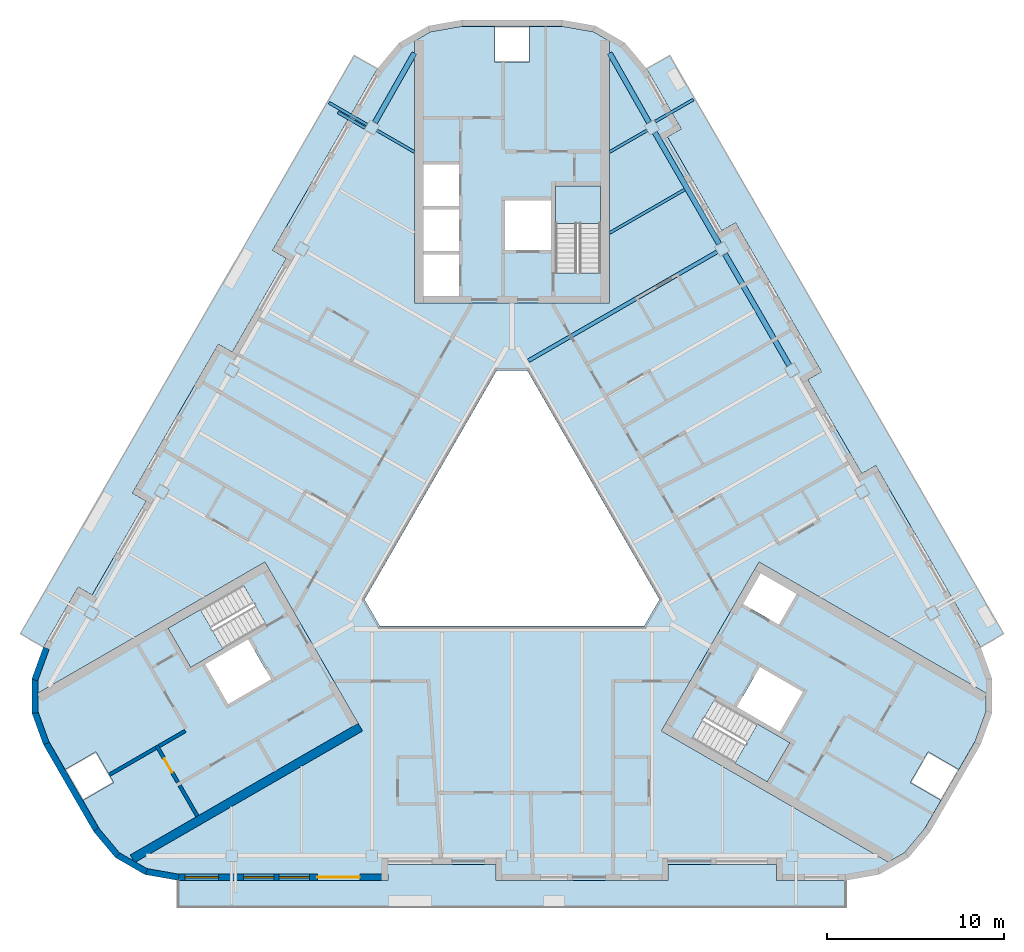
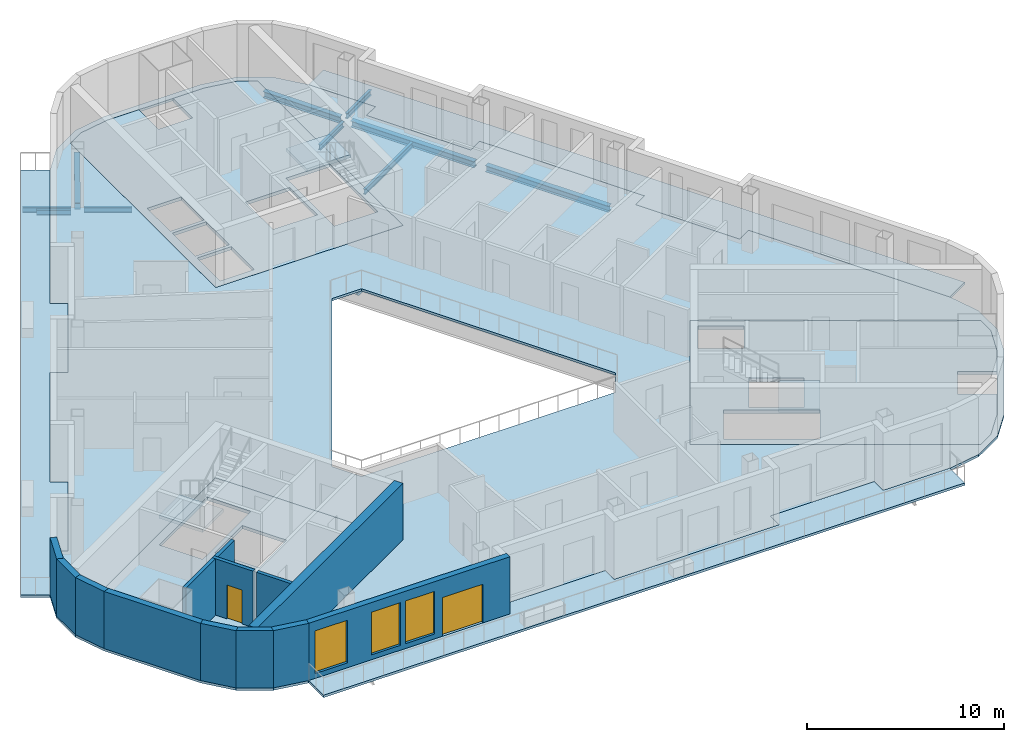
# One storey, part 2 of 14: 13 walls, 11 beams, 10 slabs, 3 windows, 2 doors, 5 openings, 3 elements without a shape of their own.
"""IFC4 building model written with IfcOpenShell, lengths in metres."""

import ifcopenshell
import ifcopenshell.guid

model = None  # the IFC model being written
_history = None  # IfcOwnerHistory: only IFC2X3 demands one
_inside = {}  # id of a spatial element -> (the spatial element, [elements in it])
_under = {}  # id of a project, library or spatial element -> (it, [spatial elements below it])
_declared = {}  # id of a project -> (the project, [libraries it declares])
_typed = {}  # id of a type object -> (the type object, [elements of that type])
_made_of = {}  # id of a material, layer set ... -> (it, [elements and type objects made of it])


def new_model(schema):
    """Start an empty IFC model of exactly this schema.

    Asked for "IFC4X3", IfcOpenShell would pick the latest addendum, in which some entities
    have other attributes; the version numbers below select the first issue.
    IFC2X3 requires an IfcOwnerHistory on every rooted entity: one is made here for all.
    """
    global model, _history
    if schema == "IFC4X3":
        model = ifcopenshell.file(schema_version=(4, 3, 0, 0))
    else:
        model = ifcopenshell.file(schema=schema)
    _inside.clear()
    _under.clear()
    _declared.clear()
    _typed.clear()
    _made_of.clear()
    _history = None
    if model.schema == "IFC2X3":
        org = make("IfcOrganization", Name="unknown")
        user = make(
            "IfcPersonAndOrganization",
            ThePerson=make("IfcPerson", FamilyName="unknown"),
            TheOrganization=org,
        )
        app = make(
            "IfcApplication",
            ApplicationDeveloper=org,
            Version="unknown",
            ApplicationFullName="unknown",
            ApplicationIdentifier="unknown",
        )
        _history = make(
            "IfcOwnerHistory",
            OwningUser=user,
            OwningApplication=app,
            ChangeAction="ADDED",
            CreationDate=0,
        )
    return model


def make(cls, **values):
    """One entity of the class cls with the attributes given. An attribute that is None is left unset."""
    return model.create_entity(
        cls, **{name: value for name, value in values.items() if value is not None}
    )


def rooted(cls, **values):
    """An entity with a GlobalId (a new one), such as an element, a storey or a relation."""
    return make(cls, GlobalId=ifcopenshell.guid.new(), OwnerHistory=_history, **values)


def si_unit(unit_type, name, prefix=None):
    """IfcSIUnit, for example si_unit("LENGTHUNIT", "METRE", prefix="MILLI")."""
    return make("IfcSIUnit", UnitType=unit_type, Prefix=prefix, Name=name)


def assignment(units):
    """IfcUnitAssignment: the units of a project."""
    return None if units is None else make("IfcUnitAssignment", Units=units)


def point(xyz):
    """IfcCartesianPoint."""
    return None if xyz is None else make("IfcCartesianPoint", Coordinates=xyz)


def direction(xyz):
    """IfcDirection."""
    return None if xyz is None else make("IfcDirection", DirectionRatios=xyz)


def frame(location, z_axis=None, x_axis=None):
    """IfcAxis2Placement3D, a coordinate frame: its origin and axes. An axis left out is left unset."""
    return make(
        "IfcAxis2Placement3D",
        Location=point(location),
        Axis=direction(z_axis),
        RefDirection=direction(x_axis),
    )


def frame_2d(location, x_axis=None):
    """IfcAxis2Placement2D, a coordinate frame in the plane: its origin and x axis."""
    return make(
        "IfcAxis2Placement2D", Location=point(location), RefDirection=direction(x_axis)
    )


def origin():
    """The frame at (0, 0, 0) with its axes left unset."""
    return frame((0.0, 0.0, 0.0))


def origin_2d():
    """The frame at (0, 0) in the plane with its x axis left unset."""
    return frame_2d((0.0, 0.0))


def place(relative_to, where):
    """IfcLocalPlacement: puts the frame where relative to a parent placement (None: the world)."""
    return make(
        "IfcLocalPlacement", PlacementRelTo=relative_to, RelativePlacement=where
    )


def context(
    kind, dimensions, precision=None, world=None, true_north=None, identifier=None
):
    """IfcGeometricRepresentationContext, for example the 3D "Model" context."""
    return make(
        "IfcGeometricRepresentationContext",
        ContextIdentifier=identifier,
        ContextType=kind,
        CoordinateSpaceDimension=dimensions,
        Precision=precision,
        WorldCoordinateSystem=world,
        TrueNorth=true_north,
    )


def subcontext(parent, identifier, kind, view, scale=None):
    """IfcGeometricRepresentationSubContext, for example "Body" below "Model"."""
    return make(
        "IfcGeometricRepresentationSubContext",
        ContextIdentifier=identifier,
        ContextType=kind,
        ParentContext=parent,
        TargetScale=scale,
        TargetView=view,
    )


def project(units=None, contexts=None):
    """IfcProject with its units and contexts."""
    return rooted(
        "IfcProject",
        Name="project",
        RepresentationContexts=contexts,
        UnitsInContext=assignment(units),
    )


def spatial(cls, under=None, at=None, **own):
    """A site, building, storey or space (cls), placed at a placement, below another one or the project."""
    s = rooted(cls, ObjectPlacement=at, **own)
    if under is not None:
        _under.setdefault(under.id(), (under, []))[1].append(s)
    return s


def polyline(points):
    """IfcPolyline through the points."""
    return make("IfcPolyline", Points=[point(p) for p in points])


def profile(cls, at=None, kind="AREA", **sizes):
    """A parametric profile (cls). Its sizes go by their IFC names, for example OverallWidth=200.0."""
    return make(cls, ProfileType=kind, Position=at, **sizes)


def rectangle(**sizes):
    """IfcRectangleProfileDef."""
    return profile("IfcRectangleProfileDef", **sizes)


def i_section(**sizes):
    """IfcIShapeProfileDef."""
    return profile("IfcIShapeProfileDef", **sizes)


def outline(outer, holes=None, kind="AREA"):
    """IfcArbitraryClosedProfileDef: a profile drawn as a closed curve; with holes, ...WithVoids."""
    if holes is None:
        return make("IfcArbitraryClosedProfileDef", ProfileType=kind, OuterCurve=outer)
    return make(
        "IfcArbitraryProfileDefWithVoids",
        ProfileType=kind,
        OuterCurve=outer,
        InnerCurves=holes,
    )


def extrude(swept, where, along, depth):
    """IfcExtrudedAreaSolid: the profile swept, set in the frame where, extruded along a direction by depth."""
    return make(
        "IfcExtrudedAreaSolid",
        SweptArea=swept,
        Position=where,
        ExtrudedDirection=direction(along),
        Depth=depth,
    )


def shape(context_of_items, identifier, shape_type, items):
    """IfcShapeRepresentation: the items that make up one representation, for example the "Body"."""
    return make(
        "IfcShapeRepresentation",
        ContextOfItems=context_of_items,
        RepresentationIdentifier=identifier,
        RepresentationType=shape_type,
        Items=items,
    )


def material(Name=None, Category=None):
    """IfcMaterial."""
    return make("IfcMaterial", Name=Name, Category=Category)


def layer(
    of_material, thickness, ventilated=None, Name=None, Category=None, Priority=None
):
    """IfcMaterialLayer: one layer of a wall or slab, of a material (None: an air gap)."""
    return make(
        "IfcMaterialLayer",
        Material=of_material,
        LayerThickness=thickness,
        IsVentilated=ventilated,
        Name=Name,
        Category=Category,
        Priority=Priority,
    )


def layer_set(layers, Name=None):
    """IfcMaterialLayerSet."""
    return make("IfcMaterialLayerSet", MaterialLayers=layers, LayerSetName=Name)


def material_profile(
    of_material, cross_section, Name=None, Category=None, Priority=None
):
    """IfcMaterialProfile: a cross section and its material."""
    return make(
        "IfcMaterialProfile",
        Name=Name,
        Material=of_material,
        Profile=cross_section,
        Priority=Priority,
        Category=Category,
    )


def profile_set(profiles, Name=None, composite=None):
    """IfcMaterialProfileSet."""
    return make(
        "IfcMaterialProfileSet",
        Name=Name,
        MaterialProfiles=profiles,
        CompositeProfile=composite,
    )


def made_of(thing, what):
    """Note that an element or type object is made of a material, layer set ...; save() writes the relation."""
    if what is not None:
        _made_of.setdefault(what.id(), (what, []))[1].append(thing)
    return thing


def type_object(cls, material=None, **own):
    """A type object (cls), such as IfcWallType, which elements share."""
    return made_of(rooted(cls, **own), material)


def element(
    cls,
    number,
    at=None,
    inside=None,
    cuts=None,
    type_object=None,
    material=None,
    context=None,
    identifier="Body",
    shape_type=None,
    held_by="IfcProductDefinitionShape",
    body=None,
    shapes=None,
    **own,
):
    """One element of the class cls, such as IfcWall. Its Tag is "e" and its number.

    at: its placement. inside: the storey or other place that contains it. cuts: it is an
    opening in that element (IfcRelVoidsElement). A single representation is given by context,
    identifier, shape_type and body (its items); several are given by shapes. held_by: the class
    of the entity that holds the representations. save() writes the other relations.
    """
    e = rooted(cls, Tag="e%d" % number, ObjectPlacement=at, **own)
    if body is not None:
        shapes = [shape(context, identifier, shape_type, body)]
    if shapes is not None:
        e.Representation = make(held_by, Representations=shapes)
    if inside is not None:
        _inside.setdefault(inside.id(), (inside, []))[1].append(e)
    if cuts is not None:
        rooted(
            "IfcRelVoidsElement", RelatingBuildingElement=cuts, RelatedOpeningElement=e
        )
    if type_object is not None:
        _typed.setdefault(type_object.id(), (type_object, []))[1].append(e)
    return made_of(e, material)


def fill(opening, filler):
    """IfcRelFillsElement: the door or window that sits in an opening."""
    return rooted(
        "IfcRelFillsElement",
        RelatingOpeningElement=opening,
        RelatedBuildingElement=filler,
    )


def aggregate(whole, parts):
    """IfcRelAggregates: a whole, such as a stair, and the parts it consists of."""
    return rooted("IfcRelAggregates", RelatingObject=whole, RelatedObjects=parts)


def save(model, path):
    """Write the relations noted so far, then the file.

    IfcRelAggregates (storeys below a building ...), IfcRelContainedInSpatialStructure (elements
    in a storey), IfcRelDefinesByType, IfcRelAssociatesMaterial and IfcRelDeclares: one each for
    every whole, place, type object, material and project.
    """
    for whole, parts in _under.values():
        aggregate(whole, parts)
    for where, things in _inside.values():
        rooted(
            "IfcRelContainedInSpatialStructure",
            RelatedElements=things,
            RelatingStructure=where,
        )
    for kind, things in _typed.values():
        rooted("IfcRelDefinesByType", RelatedObjects=things, RelatingType=kind)
    for what, things in _made_of.values():
        rooted("IfcRelAssociatesMaterial", RelatedObjects=things, RelatingMaterial=what)
    for by, libraries in _declared.values():
        rooted("IfcRelDeclares", RelatingContext=by, RelatedDefinitions=libraries)
    model.write(path)


model = new_model("IFC4")

# Units and contexts
model_context = context("Model", 3, precision=1e-05, world=origin(), true_north=direction((0.0, 1.0)))
body_context = subcontext(model_context, "Body", "Model", "MODEL_VIEW")
ifc_project = project(units=[si_unit("LENGTHUNIT", "METRE"), si_unit("AREAUNIT", "SQUARE_METRE"), si_unit("VOLUMEUNIT", "CUBIC_METRE"), si_unit("PLANEANGLEUNIT", "RADIAN"), si_unit("MASSUNIT", "GRAM", prefix="KILO")], contexts=[model_context])

# Site, building, storey
site_placement = place(None, origin())
site = spatial("IfcSite", under=ifc_project, at=site_placement, CompositionType="ELEMENT")
building_placement = place(site_placement, origin())
building = spatial("IfcBuilding", under=site, at=building_placement, Name="Apuvela Tower Hotel", CompositionType="ELEMENT")
storey_placement = place(building_placement, frame((0.0, 0.0, 250.39990234375)))
storey = spatial("IfcBuildingStorey", under=building, at=storey_placement, Name="L61", CompositionType="ELEMENT", Elevation=250.39990234375)

# Beams
ifc_material_1 = material(Name="Steel S355", Category="steel")
ifc_material_profile_1 = material_profile(ifc_material_1, i_section(OverallWidth=0.159912109375, OverallDepth=0.330078125, WebThickness=0.007568359375, FlangeThickness=0.011474609375, at=origin_2d()), Name="IPE 330")
ifc_profile_set_1 = profile_set([ifc_material_profile_1], Name="Steel S355")
beam_type_1 = type_object("IfcBeamType", Name="ENV-BALCONY-BEAM-IPE330", PredefinedType="BEAM", material=ifc_profile_set_1)
for number, where, z_axis, x_axis, name in (
    (1, (8.069091796875, 23.1337890625, -0.31494140625), (0.866006523861, 0.500032699561, 0.0), (-0.500032699561, 0.866006523861, 0.0), "Balcony cantilever beam NE3 L61"),
    (2, (-8.169189453125, 22.960693359375, -0.31494140625), (-0.866006523861, 0.500032699561, 0.0), (-0.500032699561, -0.866006523861, 0.0), "Balcony cantilever beam NW1 L61"),
):
    element("IfcBeam", number, at=place(storey_placement, frame(where, z_axis=z_axis, x_axis=x_axis)), inside=storey, type_object=beam_type_1, Name=name, PredefinedType="BEAM", context=body_context, shape_type="SweptSolid", body=[
        extrude(i_section(OverallWidth=0.159912109375, OverallDepth=0.330078125, WebThickness=0.007568359375, FlangeThickness=0.011474609375, at=origin_2d()), origin(), (0.0, 0.0, 1.0), 2.474853515625),
    ])
beam_1_placement = place(storey_placement, frame((-8.279052734375, 22.770263671875, -0.31494140625), z_axis=(-0.866059624469, 0.499940723351, 0.0), x_axis=(-0.499940723351, -0.866059624469, 0.0)))
element("IfcBeam", 3, at=beam_1_placement, inside=storey, type_object=beam_type_1, Name="Balcony cantilever beam NW2 L61", PredefinedType="BEAM", context=body_context, shape_type="SweptSolid", body=[
    extrude(i_section(OverallWidth=0.159912109375, OverallDepth=0.330078125, WebThickness=0.007568359375, FlangeThickness=0.011474609375, at=origin_2d()), origin(), (0.0, 0.0, 1.0), 1.775146484375),
])
ifc_material_profile_2 = material_profile(ifc_material_1, i_section(OverallWidth=0.159912109375, OverallDepth=0.330078125, WebThickness=0.007568359375, FlangeThickness=0.011474609375, at=origin_2d()), Name="IPE 330")
ifc_profile_set_2 = profile_set([ifc_material_profile_2], Name="Steel S355")
beam_type_2 = type_object("IfcBeamType", Name="STR-B floor beam IPE 330", PredefinedType="BEAM", material=ifc_profile_set_2)
beam_2_placement = place(storey_placement, frame((9.732666015625, 19.302490234375, -0.31494140625), z_axis=(-0.866015056278, -0.500017921979, 0.0), x_axis=(0.500017921979, -0.866015056278, 0.0)))
element("IfcBeam", 4, at=beam_2_placement, inside=storey, type_object=beam_type_2, Name="Floor beam B1 NE8", PredefinedType="BEAM", context=body_context, shape_type="SweptSolid", body=[
    extrude(i_section(OverallWidth=0.159912109375, OverallDepth=0.330078125, WebThickness=0.007568359375, FlangeThickness=0.011474609375, at=origin_2d()), origin(), (0.0, 0.0, 1.0), 4.887451171875),
])
for number, where, z_axis, x_axis, name in (
    (5, (7.606201171875, 22.6357421875, -0.31494140625), (-0.866016743675, -0.500014999449, 0.0), (0.500014999449, -0.866016743675, 0.0), "Floor beam B1 NE9"),
    (6, (-7.606201171875, 22.6357421875, -0.31494140625), (0.866016743675, -0.500014999449, 0.0), (0.500014999449, 0.866016743675, 0.0), "Floor beam B1 NW1"),
):
    element("IfcBeam", number, at=place(storey_placement, frame(where, z_axis=z_axis, x_axis=x_axis)), inside=storey, type_object=beam_type_2, Name=name, PredefinedType="BEAM", context=body_context, shape_type="SweptSolid", body=[
        extrude(i_section(OverallWidth=0.159912109375, OverallDepth=0.330078125, WebThickness=0.007568359375, FlangeThickness=0.011474609375, at=origin_2d()), origin(), (0.0, 0.0, 1.0), 2.43212890625),
    ])
ifc_material_profile_3 = material_profile(ifc_material_1, i_section(OverallWidth=0.219970703125, OverallDepth=0.60009765625, WebThickness=0.011962890625, FlangeThickness=0.01904296875, at=origin_2d()), Name="IPE 600")
ifc_profile_set_3 = profile_set([ifc_material_profile_3], Name="Steel S355")
beam_type_3 = type_object("IfcBeamType", Name="STR-B floor beam IPE 600", PredefinedType="BEAM", material=ifc_profile_set_3)
beam_3_placement = place(storey_placement, frame((11.55615234375, 15.794189453125, -0.449951171875), z_axis=(-0.866023424837, -0.500003427622, 0.0), x_axis=(0.500003427622, -0.866023424837, 0.0)))
element("IfcBeam", 7, at=beam_3_placement, inside=storey, type_object=beam_type_3, Name="Floor beam B8 NE7", PredefinedType="BEAM", context=body_context, shape_type="SweptSolid", body=[
    extrude(i_section(OverallWidth=0.219970703125, OverallDepth=0.60009765625, WebThickness=0.011962890625, FlangeThickness=0.01904296875, at=origin_2d()), origin(), (0.0, 0.0, 1.0), 12.28515625),
])
ifc_material_profile_4 = material_profile(ifc_material_1, i_section(OverallWidth=0.300048828125, OverallDepth=0.389892578125, WebThickness=0.010986328125, FlangeThickness=0.01904296875, at=origin_2d()), Name="HE 400 A")
ifc_profile_set_4 = profile_set([ifc_material_profile_4], Name="Steel S355")
beam_type_4 = type_object("IfcBeamType", Name="STR-SB spandrel beam HE 400 A", PredefinedType="SPANDREL", material=ifc_profile_set_4)
for number, where, z_axis, x_axis, name in (
    (8, (15.625, 9.396484375, -0.344970703125), (-0.500007150726, 0.866021275271, 0.0), (-0.866021275271, -0.500007150726, 0.0), "Spandrel beam SB4 NE3"),
    (9, (11.675048828125, 16.238037109375, -0.344970703125), (-0.500007150726, 0.866021275271, 0.0), (-0.866021275271, -0.500007150726, 0.0), "Spandrel beam SB4 NE4"),
):
    element("IfcBeam", number, at=place(storey_placement, frame(where, z_axis=z_axis, x_axis=x_axis)), inside=storey, type_object=beam_type_4, Name=name, PredefinedType="SPANDREL", context=body_context, shape_type="SweptSolid", body=[
        extrude(i_section(OverallWidth=0.300048828125, OverallDepth=0.389892578125, WebThickness=0.010986328125, FlangeThickness=0.01904296875, at=origin_2d()), origin(), (0.0, 0.0, 1.0), 7.25),
    ])
for number, where, z_axis, x_axis, name in (
    (10, (7.72705078125, 23.080810546875, -0.344970703125), (-0.494049419236, 0.869433822296, 0.0), (-0.869433822296, -0.494049419236, 0.0), "Spandrel beam SB4 NE5-N"),
    (11, (-7.72705078125, 23.080810546875, -0.344970703125), (0.494049419236, 0.869433822296, 0.0), (-0.869433822296, 0.494049419236, 0.0), "Spandrel beam SB4 NW1-N"),
):
    element("IfcBeam", number, at=place(storey_placement, frame(where, z_axis=z_axis, x_axis=x_axis)), inside=storey, type_object=beam_type_4, Name=name, PredefinedType="SPANDREL", context=body_context, shape_type="SweptSolid", body=[
        extrude(i_section(OverallWidth=0.300048828125, OverallDepth=0.389892578125, WebThickness=0.010986328125, FlangeThickness=0.01904296875, at=origin_2d()), origin(), (0.0, 0.0, 1.0), 4.5078125),
    ])

# Slabs
ifc_material_2 = material(Name="Concrete C50/60", Category="concrete")
ifc_layer_1 = layer(ifc_material_2, 0.199951171875)
ifc_layer_set_1 = layer_set([ifc_layer_1], Name="COR-FLOOR-200")
slab_type_1 = type_object("IfcSlabType", Name="COR-FLOOR-200", PredefinedType="FLOOR", material=ifc_layer_set_1)
slab_1_placement = place(storey_placement, frame((0.0, 0.0, -0.199951171875)))
element("IfcSlab", 12, at=slab_1_placement, inside=storey, type_object=slab_type_1, Name="Core floor N", PredefinedType="FLOOR", context=body_context, shape_type="SweptSolid", body=[
    extrude(outline(polyline([(5.5, 27.668212890625), (4.588623046875, 28.1943359375), (2.85498046875, 28.5), (1.0, 28.5), (1.0, 26.5), (-1.0, 26.5), (-1.0, 28.5), (-2.85498046875, 28.5), (-4.588623046875, 28.1943359375), (-5.5, 27.668212890625), (-5.5, 12.89990234375), (5.5, 12.89990234375), (5.5, 27.668212890625)]), holes=[polyline([(-3.0, 13.300048828125), (-5.0, 13.300048828125), (-5.0, 15.639892578125), (-3.0, 15.639892578125), (-3.0, 13.300048828125)]), polyline([(-3.0, 15.840087890625), (-5.0, 15.840087890625), (-5.0, 18.179931640625), (-3.0, 18.179931640625), (-3.0, 15.840087890625)]), polyline([(5.0, 14.60595703125), (2.449951171875, 14.60595703125), (2.449951171875, 19.5), (5.0, 19.5), (5.0, 14.60595703125)]), polyline([(2.199951171875, 18.699951171875), (2.199951171875, 15.89990234375), (-0.39990234375, 15.89990234375), (-0.39990234375, 18.699951171875), (2.199951171875, 18.699951171875)]), polyline([(-3.0, 20.719970703125), (-3.0, 18.3798828125), (-5.0, 18.3798828125), (-5.0, 20.719970703125), (-3.0, 20.719970703125)])]), origin(), (0.0, 0.0, 1.0), 0.199951171875),
])
slab_2_placement = place(storey_placement, frame((0.0, 0.0, -0.199951171875)))
element("IfcSlab", 13, at=slab_2_placement, inside=storey, type_object=slab_type_1, Name="Core floor SW", PredefinedType="FLOOR", context=body_context, shape_type="SweptSolid", body=[
    extrude(outline(polyline([(-26.711181640625, -9.07080078125), (-26.711181640625, -10.123291015625), (-26.109375, -11.77734375), (-25.181640625, -13.384033203125), (-23.44970703125, -12.384033203125), (-22.44970703125, -14.115966796875), (-24.181640625, -15.115966796875), (-23.254150390625, -16.72265625), (-22.122802734375, -18.071044921875), (-21.211181640625, -18.59716796875), (-8.421630859375, -11.213134765625), (-13.921630859375, -1.68701171875), (-26.711181640625, -9.07080078125)]), holes=[polyline([(-13.874267578125, -5.18115234375), (-18.112548828125, -7.628173828125), (-19.387451171875, -5.419921875), (-15.149169921875, -2.972900390625), (-13.874267578125, -5.18115234375)]), polyline([(-13.56982421875, -8.29638671875), (-15.99462890625, -9.6962890625), (-17.294677734375, -7.444580078125), (-14.869873046875, -6.044677734375), (-13.56982421875, -8.29638671875)])]), origin(), (0.0, 0.0, 1.0), 0.199951171875),
])
slab_3_placement = place(storey_placement, frame((0.0, 0.0, -0.199951171875)))
element("IfcSlab", 14, at=slab_3_placement, inside=storey, type_object=slab_type_1, Name="Core floor SE", PredefinedType="FLOOR", context=body_context, shape_type="SweptSolid", body=[
    extrude(outline(polyline([(21.211181640625, -18.59716796875), (22.122802734375, -18.071044921875), (23.254150390625, -16.72265625), (24.181640625, -15.115966796875), (22.44970703125, -14.115966796875), (23.44970703125, -12.384033203125), (25.181640625, -13.384033203125), (26.109375, -11.77734375), (26.711181640625, -10.123291015625), (26.711181640625, -9.07080078125), (13.921630859375, -1.68701171875), (8.421630859375, -11.213134765625), (21.211181640625, -18.59716796875)]), holes=[polyline([(14.01806640625, -2.31982421875), (16.044677734375, -3.489990234375), (15.044677734375, -5.221923828125), (13.01806640625, -4.052001953125), (14.01806640625, -2.31982421875)]), polyline([(10.149169921875, -11.633056640625), (11.42431640625, -9.4248046875), (15.66259765625, -11.871826171875), (14.387451171875, -14.080078125), (10.149169921875, -11.633056640625)]), polyline([(12.669921875, -9.855224609375), (13.9697265625, -7.603515625), (16.394775390625, -9.003662109375), (15.0947265625, -11.25537109375), (12.669921875, -9.855224609375)])]), origin(), (0.0, 0.0, 1.0), 0.199951171875),
])

# Stair, slab
stair_type = type_object("IfcStairType", Name="COR-STAIR-22R", PredefinedType="HALF_TURN_STAIR", material=ifc_material_2)
stair_1_placement = place(storey_placement, origin())
stair_1 = element("IfcStair", 15, at=stair_1_placement, inside=storey, type_object=stair_type, Name="L61 Exit stair ST1", PredefinedType="HALF_TURN_STAIR")
ifc_layer_2 = layer(ifc_material_2, 0.199951171875)
ifc_layer_set_2 = layer_set([ifc_layer_2], Name="COR-LANDING-200")
slab_type_2 = type_object("IfcSlabType", Name="COR-LANDING-200", PredefinedType="LANDING", material=ifc_layer_set_2)
slab_4_placement = place(storey_placement, frame((0.0, 0.0, 1.650146484375)))
slab_4 = element("IfcSlab", 16, at=slab_4_placement, type_object=slab_type_2, Name="ST1 landing 1", PredefinedType="LANDING", context=body_context, shape_type="SweptSolid", body=[
    extrude(outline(polyline([(5.0, 17.39404296875), (5.0, 19.5), (2.449951171875, 19.5), (2.449951171875, 17.39404296875), (5.0, 17.39404296875)])), origin(), (0.0, 0.0, 1.0), 0.199951171875),
])
aggregate(stair_1, [slab_4])

stair_2_placement = place(storey_placement, origin())
stair_2 = element("IfcStair", 17, at=stair_2_placement, inside=storey, type_object=stair_type, Name="L61 Exit stair ST2", PredefinedType="HALF_TURN_STAIR")
slab_5_placement = place(storey_placement, frame((0.0, 0.0, 1.650146484375)))
slab_5 = element("IfcSlab", 18, at=slab_5_placement, type_object=slab_type_2, Name="ST2 landing 1", PredefinedType="LANDING", context=body_context, shape_type="SweptSolid", body=[
    extrude(outline(polyline([(-17.563720703125, -4.366943359375), (-19.387451171875, -5.419921875), (-18.112548828125, -7.628173828125), (-16.28857421875, -6.5751953125), (-17.563720703125, -4.366943359375)])), origin(), (0.0, 0.0, 1.0), 0.199951171875),
])
aggregate(stair_2, [slab_5])

stair_3_placement = place(storey_placement, origin())
stair_3 = element("IfcStair", 19, at=stair_3_placement, inside=storey, type_object=stair_type, Name="L61 Exit stair ST3", PredefinedType="HALF_TURN_STAIR")
slab_6_placement = place(storey_placement, frame((0.0, 0.0, 1.650146484375)))
slab_6 = element("IfcSlab", 20, at=slab_6_placement, type_object=slab_type_2, Name="ST3 landing 1", PredefinedType="LANDING", context=body_context, shape_type="SweptSolid", body=[
    extrude(outline(polyline([(12.563720703125, -13.027099609375), (14.387451171875, -14.080078125), (15.66259765625, -11.871826171875), (13.838623046875, -10.81884765625), (12.563720703125, -13.027099609375)])), origin(), (0.0, 0.0, 1.0), 0.199951171875),
])
aggregate(stair_3, [slab_6])

# Slabs
ifc_material_3 = material(Name="Concrete C40/50, fair-faced", Category="concrete")
ifc_layer_3 = layer(ifc_material_3, 0.14990234375)
ifc_layer_set_3 = layer_set([ifc_layer_3], Name="ENV-BALCONY-150")
slab_type_3 = type_object("IfcSlabType", Name="ENV-BALCONY-150", PredefinedType="FLOOR", material=ifc_layer_set_3)
slab_7_placement = place(storey_placement, frame((0.0, 0.0, -0.14990234375)))
element("IfcSlab", 21, at=slab_7_placement, inside=storey, type_object=slab_type_3, Name="Balcony slab S L61", PredefinedType="FLOOR", context=body_context, shape_type="SweptSolid", body=[
    extrude(outline(polyline([(18.82080078125, -21.135009765625), (-18.82080078125, -21.135009765625), (-18.82080078125, -19.625), (-7.0048828125, -19.625), (-7.0048828125, -18.72509765625), (-0.89501953125, -18.72509765625), (-0.89501953125, -19.625), (8.794921875, -19.625), (8.794921875, -18.72509765625), (14.905029296875, -18.72509765625), (14.905029296875, -19.625), (18.82080078125, -19.625), (18.82080078125, -21.135009765625)])), origin(), (0.0, 0.0, 1.0), 0.14990234375),
])
slab_8_placement = place(storey_placement, frame((0.0, 0.0, -0.14990234375)))
element("IfcSlab", 22, at=slab_8_placement, inside=storey, type_object=slab_type_3, Name="Balcony slab NE L61", PredefinedType="FLOOR", context=body_context, shape_type="SweptSolid", body=[
    extrude(outline(polyline([(17.443359375, 9.037353515625), (12.598388671875, 17.42919921875), (11.81884765625, 16.979248046875), (8.763916015625, 22.2705078125), (9.543212890625, 22.720703125), (7.585205078125, 26.11181640625), (8.89306640625, 26.86669921875), (27.7138671875, -5.731689453125), (26.40625, -6.48681640625), (20.498291015625, 3.74609375), (19.71875, 3.2958984375), (16.663818359375, 8.58740234375), (17.443359375, 9.037353515625)])), origin(), (0.0, 0.0, 1.0), 0.14990234375),
])
slab_9_placement = place(storey_placement, frame((0.0, 0.0, -0.14990234375)))
element("IfcSlab", 23, at=slab_9_placement, inside=storey, type_object=slab_type_3, Name="Balcony slab NW L61", PredefinedType="FLOOR", context=body_context, shape_type="SweptSolid", body=[
    extrude(outline(polyline([(-27.7138671875, -5.731689453125), (-8.89306640625, 26.86669921875), (-7.585205078125, 26.11181640625), (-13.4931640625, 15.87890625), (-12.7138671875, 15.428955078125), (-15.768798828125, 10.1376953125), (-16.548095703125, 10.587646484375), (-21.393310546875, 2.19580078125), (-20.61376953125, 1.745849609375), (-23.668701171875, -3.545654296875), (-24.4482421875, -3.095703125), (-26.40625, -6.48681640625), (-27.7138671875, -5.731689453125)])), origin(), (0.0, 0.0, 1.0), 0.14990234375),
])
ifc_material_4 = material(Name="Concrete C35/45", Category="concrete")
ifc_layer_4 = layer(ifc_material_4, 0.14990234375)
ifc_layer_set_4 = layer_set([ifc_layer_4], Name="STR-SLAB 150 floor Concrete C35/45")
slab_type_4 = type_object("IfcSlabType", Name="STR-SLAB 150 floor Concrete C35/45", PredefinedType="FLOOR", material=ifc_layer_set_4)
slab_10_placement = place(storey_placement, frame((0.0, 0.0, -0.14990234375)))
element("IfcSlab", 24, at=slab_10_placement, inside=storey, type_object=slab_type_4, Name="Floor slab S4 L61", PredefinedType="FLOOR", context=body_context, shape_type="SweptSolid", body=[
    extrude(outline(polyline([(-6.3642578125, 27.5732421875), (-4.710205078125, 28.5283203125), (-2.8291015625, 28.860107421875), (2.8291015625, 28.860107421875), (4.710205078125, 28.5283203125), (6.3642578125, 27.5732421875), (7.59228515625, 26.110107421875), (9.550048828125, 22.71875), (8.770751953125, 22.268798828125), (11.82080078125, 16.986083984375), (12.60009765625, 17.43603515625), (17.4501953125, 9.035400390625), (16.670654296875, 8.58544921875), (19.720703125, 3.302734375), (20.5, 3.752685546875), (26.407958984375, -6.47998046875), (27.061279296875, -8.27490234375), (27.061279296875, -10.18505859375), (26.407958984375, -11.97998046875), (23.5791015625, -16.8798828125), (22.351318359375, -18.34326171875), (20.697021484375, -19.29833984375), (18.81591796875, -19.6298828125), (14.89990234375, -19.6298828125), (14.89990234375, -18.72998046875), (8.800048828125, -18.72998046875), (8.800048828125, -19.6298828125), (-0.89990234375, -19.6298828125), (-0.89990234375, -18.72998046875), (-7.0, -18.72998046875), (-7.0, -19.6298828125), (-18.81591796875, -19.6298828125), (-20.697021484375, -19.29833984375), (-22.351318359375, -18.34326171875), (-23.5791015625, -16.8798828125), (-26.407958984375, -11.97998046875), (-27.061279296875, -10.18505859375), (-27.061279296875, -8.27490234375), (-26.407958984375, -6.47998046875), (-24.4501953125, -3.088623046875), (-23.670654296875, -3.538818359375), (-20.62060546875, 1.743896484375), (-21.400146484375, 2.194091796875), (-16.550048828125, 10.594482421875), (-15.7705078125, 10.14453125), (-12.720703125, 15.42724609375), (-13.5, 15.877197265625), (-7.59228515625, 26.110107421875), (-6.3642578125, 27.5732421875)]), holes=[polyline([(0.865966796875, 9.10009765625), (-0.865966796875, 9.10009765625), (-8.313720703125, -3.800048828125), (-7.44775390625, -5.300048828125), (7.44775390625, -5.300048828125), (8.313720703125, -3.800048828125), (0.865966796875, 9.10009765625)]), polyline([(-5.5, 12.89990234375), (-5.5, 27.668212890625), (-4.588623046875, 28.1943359375), (-2.85498046875, 28.5), (2.85498046875, 28.5), (4.588623046875, 28.1943359375), (5.5, 27.668212890625), (5.5, 12.89990234375), (-5.5, 12.89990234375)]), polyline([(-8.421630859375, -11.213134765625), (-21.211181640625, -18.59716796875), (-22.122802734375, -18.071044921875), (-23.254150390625, -16.72265625), (-26.109375, -11.77734375), (-26.711181640625, -10.123291015625), (-26.711181640625, -9.07080078125), (-13.921630859375, -1.68701171875), (-8.421630859375, -11.213134765625)]), polyline([(13.921630859375, -1.68701171875), (26.711181640625, -9.07080078125), (26.711181640625, -10.123291015625), (26.109375, -11.77734375), (23.254150390625, -16.72265625), (22.122802734375, -18.071044921875), (21.211181640625, -18.59716796875), (8.421630859375, -11.213134765625), (13.921630859375, -1.68701171875)])]), origin(), (0.0, 0.0, 1.0), 0.14990234375),
])

# Wall
ifc_layer_5 = layer(ifc_material_2, 0.5)
ifc_layer_set_5 = layer_set([ifc_layer_5], Name="COR-WALL-CORE-500")
wall_type_1 = type_object("IfcWallType", Name="COR-WALL-CORE-500", PredefinedType="SHEAR", material=ifc_layer_set_5)
wall_1_placement = place(storey_placement, frame((-8.546630859375, -10.99658203125, 0.0), z_axis=(0.0, 0.0, 1.0), x_axis=(-0.866025009528, -0.500000682871, 0.0)))
element("IfcWall", 25, at=wall_1_placement, inside=storey, type_object=wall_type_1, Name="Core wall SW", PredefinedType="SHEAR", context=body_context, shape_type="SweptSolid", body=[
    extrude(rectangle(XDim=14.8369140625, YDim=0.5, at=frame_2d((7.41845703125, 0.0))), origin(), (0.0, 0.0, 1.0), 3.5),
])

# Wall, opening, door
ifc_layer_6 = layer(ifc_material_2, 0.199951171875)
ifc_layer_set_6 = layer_set([ifc_layer_6], Name="COR-WALL-SHAFT-200")
wall_type_2 = type_object("IfcWallType", Name="COR-WALL-SHAFT-200", PredefinedType="SHEAR", material=ifc_layer_set_6)
wall_2_placement = place(storey_placement, frame((-20.030517578125, -12.0263671875, 0.0), z_axis=(0.0, 0.0, 1.0), x_axis=(0.500033551112, -0.866006032174, 0.0)))
wall_2 = element("IfcWall", 26, at=wall_2_placement, inside=storey, type_object=wall_type_2, Name="Shaft wall SW", PredefinedType="SHEAR", context=body_context, shape_type="SweptSolid", body=[
    extrude(rectangle(XDim=2.400146484375, YDim=0.199951171875, at=frame_2d((1.2001953125, 0.0))), origin(), (0.0, 0.0, 1.0), 3.5),
])
opening_1_placement = place(wall_2_placement, frame((0.85009765625, 0.0, 0.0)))
opening_1 = element("IfcOpeningElement", 27, at=opening_1_placement, cuts=wall_2, Name="Opening W-REP", PredefinedType="OPENING", context=body_context, shape_type="SweptSolid", body=[
    extrude(rectangle(XDim=0.89990234375, YDim=2.10009765625, at=frame_2d((0.449951171875, 1.050048828125))), frame((0.0, 0.10986328125, 0.0), z_axis=(0.0, -1.0, 0.0), x_axis=(1.0, 0.0, 0.0)), (0.0, 0.0, 1.0), 0.219970703125),
])
ifc_material_5 = material(Name="Steel fire door, powder coated", Category="steel")
door_type_1 = type_object("IfcDoorType", Name="COR-DR-900", OperationType="NOTDEFINED", PredefinedType="DOOR", material=ifc_material_5)
door_1_placement = place(opening_1_placement, frame((0.89990234375, 0.0, 0.0), z_axis=(0.0, 0.0, 1.0), x_axis=(-1.0, 0.0, 0.0)))
door_1 = element("IfcDoor", 28, at=door_1_placement, inside=storey, type_object=door_type_1, Name="Store door W-REP", OperationType="SINGLE_SWING_LEFT", OverallHeight=2.10009765625, OverallWidth=0.89990234375, PredefinedType="DOOR", context=body_context, shape_type="SweptSolid", body=[
    extrude(rectangle(XDim=0.89990234375, YDim=2.10009765625, at=frame_2d((0.449951171875, 1.050048828125))), frame((0.0, 0.02490234375, 0.0), z_axis=(0.0, -1.0, 0.0), x_axis=(1.0, 0.0, 0.0)), (0.0, 0.0, 1.0), 0.050048828125),
])
fill(opening_1, door_1)

# Walls
wall_3_placement = place(storey_placement, frame((-18.412841796875, -11.2080078125, 0.0), z_axis=(0.0, 0.0, 1.0), x_axis=(-0.866038183914, -0.499977863513, 0.0)))
element("IfcWall", 29, at=wall_3_placement, inside=storey, type_object=wall_type_2, Name="Shaft wall SW", PredefinedType="SHEAR", context=body_context, shape_type="SweptSolid", body=[
    extrude(rectangle(XDim=1.7099609375, YDim=0.199951171875, at=frame_2d((0.85498046875, 0.0))), origin(), (0.0, 0.0, 1.0), 3.5),
])
wall_4_placement = place(storey_placement, frame((-18.73046875, -14.278076171875, 0.0), z_axis=(0.0, 0.0, 1.0), x_axis=(0.50002537861, -0.866010750942, 0.0)))
element("IfcWall", 30, at=wall_4_placement, inside=storey, type_object=wall_type_2, Name="Shaft wall SW", PredefinedType="SHEAR", context=body_context, shape_type="SweptSolid", body=[
    extrude(rectangle(XDim=2.0, YDim=0.199951171875, at=frame_2d((1.0, 0.0))), origin(), (0.0, 0.0, 1.0), 3.5),
])
wall_5_placement = place(storey_placement, frame((-20.06689453125, -12.1630859375, 0.0), z_axis=(0.0, 0.0, 1.0), x_axis=(-0.866030456496, -0.499991248344, 0.0)))
element("IfcWall", 31, at=wall_5_placement, inside=storey, type_object=wall_type_2, Name="Shaft wall SW", PredefinedType="SHEAR", context=body_context, shape_type="SweptSolid", body=[
    extrude(rectangle(XDim=3.0400390625, YDim=0.199951171875, at=frame_2d((1.52001953125, 0.0))), origin(), (0.0, 0.0, 1.0), 3.5),
])
ifc_material_6 = material(Name="Concrete C40/50, dark pigmented precast panel", Category="concrete")
ifc_layer_7 = layer(ifc_material_6, 0.35009765625)
ifc_layer_set_7 = layer_set([ifc_layer_7], Name="ENV-WALL-350")
wall_type_3 = type_object("IfcWallType", Name="ENV-WALL-350", PredefinedType="SOLIDWALL", material=ifc_layer_set_7)
for number, where, z_axis, x_axis, name in (
    (32, (-26.24365234375, -6.539794921875, 0.0), (0.0, 0.0, 1.0), (-0.342030395486, -0.939688889242, 0.0), "External wall L61-10"),
    (33, (-26.88623046875, -8.27490234375, 0.0), (0.0, 0.0, 1.0), (0.0, -1.0, 0.0), "External wall L61-11"),
    (34, (-26.89697265625, -10.125244140625, 0.0), (0.0, 0.0, 1.0), (0.342030395486, -0.939688889242, 0.0), "External wall L61-12"),
):
    element("IfcWall", number, at=place(storey_placement, frame(where, z_axis=z_axis, x_axis=x_axis)), inside=storey, type_object=wall_type_3, Name=name, PredefinedType="SOLIDWALL", context=body_context, shape_type="SweptSolid", body=[
        extrude(rectangle(XDim=1.91015625, YDim=0.35009765625, at=frame_2d((0.955078125, 0.0))), origin(), (0.0, 0.0, 1.0), 3.550048828125),
    ])
wall_6_placement = place(storey_placement, frame((-26.256591796875, -11.892578125, 0.0), z_axis=(0.0, 0.0, 1.0), x_axis=(0.500018773155, -0.866014564827, 0.0)))
element("IfcWall", 35, at=wall_6_placement, inside=storey, type_object=wall_type_3, Name="External wall L61-13", PredefinedType="SOLIDWALL", context=body_context, shape_type="SweptSolid", body=[
    extrude(rectangle(XDim=5.657958984375, YDim=0.35009765625, at=frame_2d((2.8291015625, 0.0))), origin(), (0.0, 0.0, 1.0), 3.550048828125),
])
for number, where, z_axis, x_axis, name in (
    (36, (-23.44482421875, -16.767578125, 0.0), (0.0, 0.0, 1.0), (0.642733291068, -0.76609001857, 0.0), "External wall L61-14"),
    (37, (-22.263671875, -18.191650390625, 0.0), (0.0, 0.0, 1.0), (0.866000389056, -0.500043324278, 0.0), "External wall L61-15"),
):
    element("IfcWall", number, at=place(storey_placement, frame(where, z_axis=z_axis, x_axis=x_axis)), inside=storey, type_object=wall_type_3, Name=name, PredefinedType="SOLIDWALL", context=body_context, shape_type="SweptSolid", body=[
        extrude(rectangle(XDim=1.909912109375, YDim=0.35009765625, at=frame_2d((0.955078125, 0.0))), origin(), (0.0, 0.0, 1.0), 3.550048828125),
    ])
wall_7_placement = place(storey_placement, frame((-20.66650390625, -19.1259765625, 0.0), z_axis=(0.0, 0.0, 1.0), x_axis=(0.984798995425, -0.173697837091, 0.0)))
element("IfcWall", 38, at=wall_7_placement, inside=storey, type_object=wall_type_3, Name="External wall L61-16", PredefinedType="SOLIDWALL", context=body_context, shape_type="SweptSolid", body=[
    extrude(rectangle(XDim=1.91015625, YDim=0.35009765625, at=frame_2d((0.955078125, 0.0))), origin(), (0.0, 0.0, 1.0), 3.550048828125),
])

# Wall, openings, door, windows
wall_8_placement = place(storey_placement, frame((-18.81591796875, -19.455078125, 0.0), z_axis=(0.0, 0.0, 1.0), x_axis=(1.0, 0.0, 0.0)))
wall_8 = element("IfcWall", 39, at=wall_8_placement, inside=storey, type_object=wall_type_3, Name="External wall L61-17", PredefinedType="SOLIDWALL", context=body_context, shape_type="SweptSolid", body=[
    extrude(rectangle(XDim=11.81591796875, YDim=0.35009765625, at=frame_2d((5.907958984375, 0.0))), origin(), (0.0, 0.0, 1.0), 3.550048828125),
])
opening_2_placement = place(wall_8_placement, frame((0.380615234375, 0.0, 0.300048828125)))
opening_2 = element("IfcOpeningElement", 40, at=opening_2_placement, cuts=wall_8, Name="Opening WN19", PredefinedType="OPENING", context=body_context, shape_type="SweptSolid", body=[
    extrude(rectangle(XDim=1.89990234375, YDim=2.64990234375, at=frame_2d((0.949951171875, 1.324951171875))), frame((0.0, 0.18505859375, 0.0), z_axis=(0.0, -1.0, 0.0), x_axis=(1.0, 0.0, 0.0)), (0.0, 0.0, 1.0), 0.3701171875),
])
opening_3_placement = place(wall_8_placement, frame((7.84130859375, 0.0, 0.0)))
opening_3 = element("IfcOpeningElement", 41, at=opening_3_placement, cuts=wall_8, Name="Opening BD24", PredefinedType="OPENING", context=body_context, shape_type="SweptSolid", body=[
    extrude(rectangle(XDim=2.39990234375, YDim=2.39990234375, at=frame_2d((1.199951171875, 1.199951171875))), frame((0.0, 0.18505859375, 0.0), z_axis=(0.0, -1.0, 0.0), x_axis=(1.0, 0.0, 0.0)), (0.0, 0.0, 1.0), 0.3701171875),
])
opening_4_placement = place(wall_8_placement, frame((3.691162109375, 0.0, 0.300048828125)))
opening_4 = element("IfcOpeningElement", 42, at=opening_4_placement, cuts=wall_8, Name="Opening WN17", PredefinedType="OPENING", context=body_context, shape_type="SweptSolid", body=[
    extrude(rectangle(XDim=1.699951171875, YDim=2.64990234375, at=frame_2d((0.85009765625, 1.324951171875))), frame((0.0, 0.18505859375, 0.0), z_axis=(0.0, -1.0, 0.0), x_axis=(1.0, 0.0, 0.0)), (0.0, 0.0, 1.0), 0.3701171875),
])
opening_5_placement = place(wall_8_placement, frame((5.691162109375, 0.0, 0.300048828125)))
opening_5 = element("IfcOpeningElement", 43, at=opening_5_placement, cuts=wall_8, Name="Opening WN17", PredefinedType="OPENING", context=body_context, shape_type="SweptSolid", body=[
    extrude(rectangle(XDim=1.699951171875, YDim=2.64990234375, at=frame_2d((0.85009765625, 1.324951171875))), frame((0.0, 0.18505859375, 0.0), z_axis=(0.0, -1.0, 0.0), x_axis=(1.0, 0.0, 0.0)), (0.0, 0.0, 1.0), 0.3701171875),
])
ifc_material_7 = material(Name="Aluminium 6063-T6, dark bronze anodised frame with dark tinted laminated glass", Category="aluminium")
door_type_2 = type_object("IfcDoorType", Name="ENV-DOOR-BALCONY-2400x2400", OperationType="SLIDING_TO_LEFT", PredefinedType="DOOR", material=ifc_material_7)
door_2_placement = place(opening_3_placement, frame((2.39990234375, 0.0, 0.0), z_axis=(0.0, 0.0, 1.0), x_axis=(-1.0, 0.0, 0.0)))
door_2 = element("IfcDoor", 44, at=door_2_placement, inside=storey, type_object=door_type_2, Name="Balcony door BD24", OperationType="SLIDING_TO_LEFT", OverallHeight=2.39990234375, OverallWidth=2.39990234375, PredefinedType="DOOR", context=body_context, shape_type="SweptSolid", body=[
    extrude(rectangle(XDim=2.39990234375, YDim=2.39990234375, at=frame_2d((1.199951171875, 1.199951171875))), frame((0.0, 0.02490234375, 0.0), z_axis=(0.0, -1.0, 0.0), x_axis=(1.0, 0.0, 0.0)), (0.0, 0.0, 1.0), 0.050048828125),
])
fill(opening_3, door_2)
ifc_material_8 = material(Name="Glass, dark tinted laminated insulated glazing unit", Category="glass")
window_type_1 = type_object("IfcWindowType", Name="ENV-WIN-1700x2650", PartitioningType="SINGLE_PANEL", PredefinedType="WINDOW", material=ifc_material_8)
window_1_placement = place(opening_4_placement, origin())
window_1 = element("IfcWindow", 45, at=window_1_placement, inside=storey, type_object=window_type_1, Name="Window WN17", OverallHeight=2.64990234375, OverallWidth=1.699951171875, PartitioningType="SINGLE_PANEL", PredefinedType="WINDOW", context=body_context, shape_type="SweptSolid", body=[
    extrude(rectangle(XDim=1.699951171875, YDim=2.64990234375, at=frame_2d((0.85009765625, 1.324951171875))), frame((0.0, 0.030029296875, 0.0), z_axis=(0.0, -1.0, 0.0), x_axis=(1.0, 0.0, 0.0)), (0.0, 0.0, 1.0), 0.06005859375),
])
fill(opening_4, window_1)
window_2_placement = place(opening_5_placement, origin())
window_2 = element("IfcWindow", 46, at=window_2_placement, inside=storey, type_object=window_type_1, Name="Window WN17", OverallHeight=2.64990234375, OverallWidth=1.699951171875, PartitioningType="SINGLE_PANEL", PredefinedType="WINDOW", context=body_context, shape_type="SweptSolid", body=[
    extrude(rectangle(XDim=1.699951171875, YDim=2.64990234375, at=frame_2d((0.85009765625, 1.324951171875))), frame((0.0, 0.030029296875, 0.0), z_axis=(0.0, -1.0, 0.0), x_axis=(1.0, 0.0, 0.0)), (0.0, 0.0, 1.0), 0.06005859375),
])
fill(opening_5, window_2)
window_type_2 = type_object("IfcWindowType", Name="ENV-WIN-1900x2650", PartitioningType="SINGLE_PANEL", PredefinedType="WINDOW", material=ifc_material_8)
window_3_placement = place(opening_2_placement, origin())
window_3 = element("IfcWindow", 47, at=window_3_placement, inside=storey, type_object=window_type_2, Name="Window WN19", OverallHeight=2.64990234375, OverallWidth=1.89990234375, PartitioningType="SINGLE_PANEL", PredefinedType="WINDOW", context=body_context, shape_type="SweptSolid", body=[
    extrude(rectangle(XDim=1.89990234375, YDim=2.64990234375, at=frame_2d((0.949951171875, 1.324951171875))), frame((0.0, 0.030029296875, 0.0), z_axis=(0.0, -1.0, 0.0), x_axis=(1.0, 0.0, 0.0)), (0.0, 0.0, 1.0), 0.06005859375),
])
fill(opening_2, window_3)

save(model, "model.ifc")
